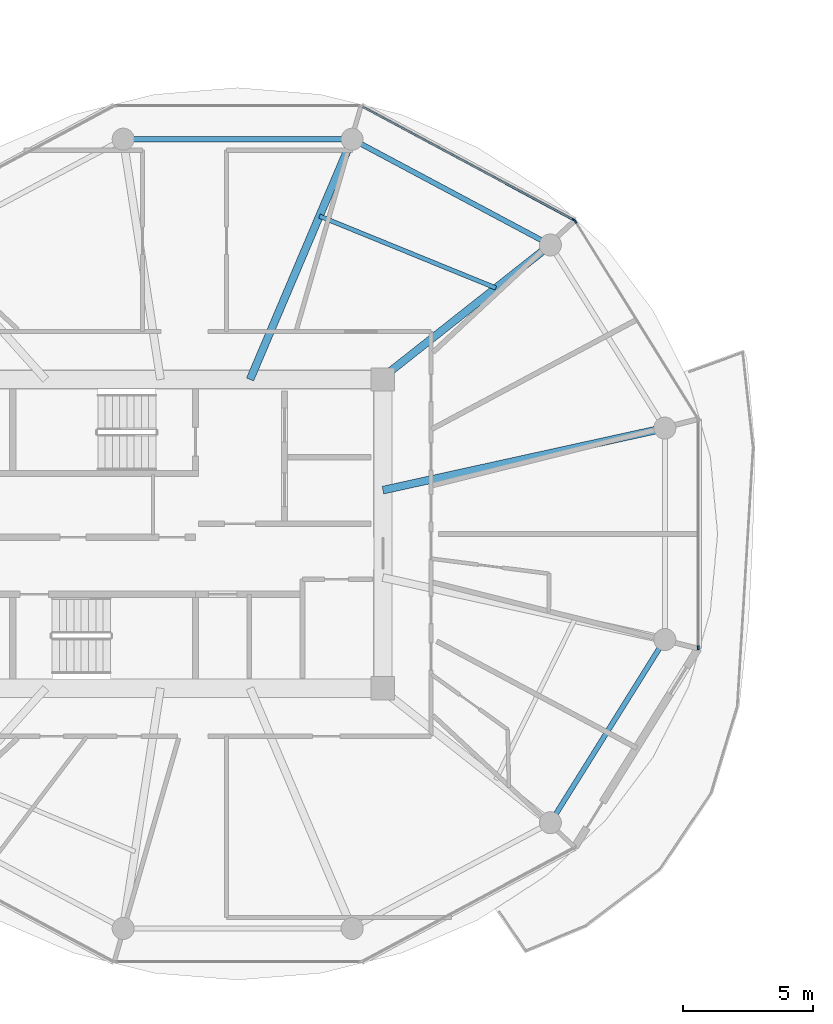
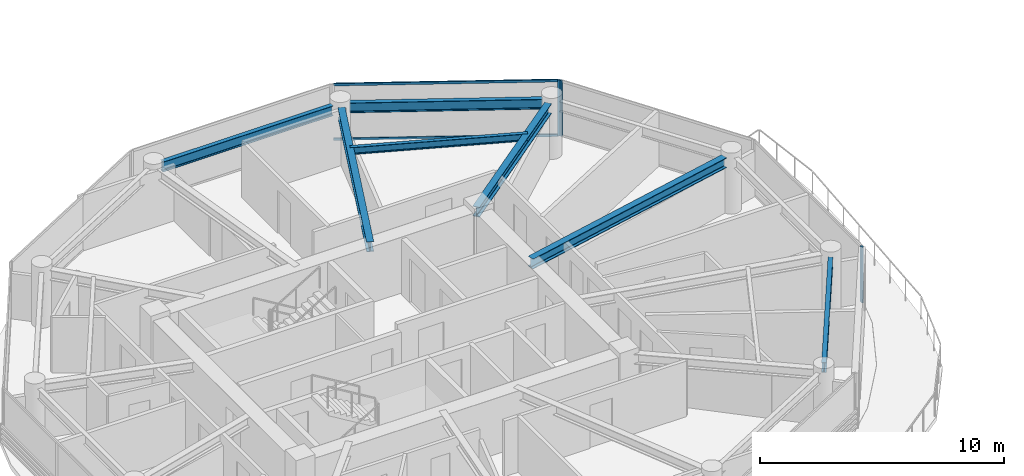
# One storey, part 5 of 22: 7 beams, 5 members, 3 elements without a shape of their own.
"""IFC4 building model written with IfcOpenShell, lengths in metres."""

from ifc_helpers import new_model, si_unit, direction, frame, origin, origin_2d, place, context, subcontext, project, spatial, rectangle, i_section, extrude, source, transform, mapped, material, layer, layer_set, material_profile, profile_set, type_object, type_shapes, element, aggregate, save


model = new_model("IFC4")

# Units and contexts
model_context = context("Model", 3, precision=1e-05, world=origin(), true_north=direction((0.0, 1.0)))
body_context = subcontext(model_context, "Body", "Model", "MODEL_VIEW")
ifc_project = project(units=[si_unit("LENGTHUNIT", "METRE"), si_unit("AREAUNIT", "SQUARE_METRE"), si_unit("VOLUMEUNIT", "CUBIC_METRE"), si_unit("PLANEANGLEUNIT", "RADIAN"), si_unit("MASSUNIT", "GRAM", prefix="KILO")], contexts=[model_context])

# Site, building, storey
site_placement = place(None, origin())
site = spatial("IfcSite", under=ifc_project, at=site_placement, CompositionType="ELEMENT")
building_placement = place(site_placement, origin())
building = spatial("IfcBuilding", under=site, at=building_placement, Name="Norrkilde Senior Care Towers", CompositionType="ELEMENT")
storey_placement = place(building_placement, frame((0.0, 0.0, 120.64990234375)))
storey = spatial("IfcBuildingStorey", under=building, at=storey_placement, Name="L37", CompositionType="ELEMENT", Elevation=120.64990234375)

# Beams
ifc_material_1 = material(Name="Steel S355", Category="steel")
ifc_material_profile_1 = material_profile(ifc_material_1, i_section(OverallWidth=0.199951171875, OverallDepth=0.5, WebThickness=0.01025390625, FlangeThickness=0.01611328125, FilletRadius=0.02099609375, at=origin_2d()), Name="IPE 500")
ifc_profile_set_1 = profile_set([ifc_material_profile_1], Name="Steel S355")
beam_type_1 = type_object("IfcBeamType", Name="Perimeter Ring Spandrel Z2 IPE500", PredefinedType="SPANDREL", material=ifc_profile_set_1)
shared_shape_1 = source(origin(), body_context, "Body", "SweptSolid", [
    extrude(i_section(OverallWidth=0.199951171875, OverallDepth=0.5, WebThickness=0.01025390625, FlangeThickness=0.01611328125, FilletRadius=0.02099609375, at=origin_2d()), origin(), (0.0, 0.0, 1.0), 7.55615234375),
])
beam_1_placement = place(storey_placement, frame((-13.689697265625, -10.810546875, 2.5400390625), z_axis=(0.529981514254, 0.848009194849, 0.0), x_axis=(-0.848009194849, 0.529981514254, 0.0)))
element("IfcBeam", 1, at=beam_1_placement, inside=storey, type_object=beam_type_1, Name="L37 Drum W Perimeter Spandrel 11", PredefinedType="SPANDREL", context=body_context, shape_type="MappedRepresentation", body=[
    mapped(shared_shape_1, transform((0.0, 0.0, 0.0), x_axis=(1.0, 0.0, 0.0), y_axis=(0.0, 1.0, 0.0), z_axis=(0.0, 0.0, 1.0), scale=1.0)),
])
ifc_material_profile_2 = material_profile(ifc_material_1, i_section(OverallWidth=0.300048828125, OverallDepth=0.5, WebThickness=0.014404296875, FlangeThickness=0.028076171875, FilletRadius=0.027099609375, at=origin_2d()), Name="HEB 500")
ifc_profile_set_2 = profile_set([ifc_material_profile_2], Name="Steel S355")
beam_type_2 = type_object("IfcBeamType", Name="Radial Floor Beam Z2 HEB500", PredefinedType="BEAM", material=ifc_profile_set_2)
shared_shape_2 = source(origin(), body_context, "Body", "SweptSolid", [
    extrude(i_section(OverallWidth=0.300048828125, OverallDepth=0.5, WebThickness=0.014404296875, FlangeThickness=0.028076171875, FilletRadius=0.027099609375, at=origin_2d()), origin(), (0.0, 0.0, 1.0), 10.744384765625),
])
beam_2_placement = place(storey_placement, frame((-20.35009765625, 1.683837890625, 2.5400390625), z_axis=(0.976618711422, 0.214978818724, 0.0), x_axis=(-0.214978818724, 0.976618711422, 0.0)))
element("IfcBeam", 2, at=beam_2_placement, inside=storey, type_object=beam_type_2, Name="L37 Drum W Radial Floor Beam 01", PredefinedType="BEAM", context=body_context, shape_type="MappedRepresentation", body=[
    mapped(shared_shape_2, transform((0.0, 0.0, 0.0), x_axis=(1.0, 0.0, 0.0), y_axis=(0.0, 1.0, 0.0), z_axis=(0.0, 0.0, 1.0), scale=1.0)),
])
shared_shape_3 = source(origin(), body_context, "Body", "SweptSolid", [
    extrude(i_section(OverallWidth=0.199951171875, OverallDepth=0.5, WebThickness=0.01025390625, FlangeThickness=0.01611328125, FilletRadius=0.02099609375, at=origin_2d()), origin(), (0.0, 0.0, 1.0), 7.892333984375),
])
beam_3_placement = place(storey_placement, frame((-14.233642578125, 11.318115234375, 2.5400390625), z_axis=(-0.882350372282, 0.47059305194, 0.0), x_axis=(-0.47059305194, -0.882350372282, 0.0)))
element("IfcBeam", 3, at=beam_3_placement, inside=storey, type_object=beam_type_1, Name="L37 Drum W Perimeter Spandrel 02", PredefinedType="SPANDREL", context=body_context, shape_type="MappedRepresentation", body=[
    mapped(shared_shape_3, transform((0.0, 0.0, 0.0), x_axis=(1.0, 0.0, 0.0), y_axis=(0.0, 1.0, 0.0), z_axis=(0.0, 0.0, 1.0), scale=1.0)),
])
shared_shape_4 = source(origin(), body_context, "Body", "SweptSolid", [
    extrude(i_section(OverallWidth=0.300048828125, OverallDepth=0.5, WebThickness=0.014404296875, FlangeThickness=0.028076171875, FilletRadius=0.027099609375, at=origin_2d()), origin(), (0.0, 0.0, 1.0), 7.985595703125),
])
beam_4_placement = place(storey_placement, frame((-20.463623046875, 5.949951171875, 2.5400390625), z_axis=(0.784858505144, 0.619675017169, 0.0), x_axis=(-0.619675017169, 0.784858505144, 0.0)))
element("IfcBeam", 4, at=beam_4_placement, inside=storey, type_object=beam_type_2, Name="L37 Drum W Radial Floor Beam 02", PredefinedType="BEAM", context=body_context, shape_type="MappedRepresentation", body=[
    mapped(shared_shape_4, transform((0.0, 0.0, 0.0), x_axis=(1.0, 0.0, 0.0), y_axis=(0.0, 1.0, 0.0), z_axis=(0.0, 0.0, 1.0), scale=1.0)),
])
shared_shape_5 = source(origin(), body_context, "Body", "SweptSolid", [
    extrude(i_section(OverallWidth=0.199951171875, OverallDepth=0.5, WebThickness=0.01025390625, FlangeThickness=0.01611328125, FilletRadius=0.02099609375, at=origin_2d()), origin(), (0.0, 0.0, 1.0), 8.0556640625),
])
type_shapes(beam_type_1, [shared_shape_1, shared_shape_3, shared_shape_5])
beam_5_placement = place(storey_placement, frame((-21.922119140625, 15.21337890625, 2.5400390625), z_axis=(-1.0, 0.0, 0.0), x_axis=(0.0, -1.0, 0.0)))
element("IfcBeam", 5, at=beam_5_placement, inside=storey, type_object=beam_type_1, Name="L37 Drum W Perimeter Spandrel 03", PredefinedType="SPANDREL", context=body_context, shape_type="MappedRepresentation", body=[
    mapped(shared_shape_5, transform((0.0, 0.0, 0.0), x_axis=(1.0, 0.0, 0.0), y_axis=(0.0, 1.0, 0.0), z_axis=(0.0, 0.0, 1.0), scale=1.0)),
])
shared_shape_6 = source(origin(), body_context, "Body", "SweptSolid", [
    extrude(i_section(OverallWidth=0.300048828125, OverallDepth=0.5, WebThickness=0.014404296875, FlangeThickness=0.028076171875, FilletRadius=0.027099609375, at=origin_2d()), origin(), (0.0, 0.0, 1.0), 9.679443359375),
])
type_shapes(beam_type_2, [shared_shape_2, shared_shape_4, shared_shape_6])
beam_6_placement = place(storey_placement, frame((-25.472412109375, 5.949951171875, 2.5400390625), z_axis=(0.390998033479, 0.920391513333, 0.0), x_axis=(-0.920391513333, 0.390998033479, 0.0)))
element("IfcBeam", 6, at=beam_6_placement, inside=storey, type_object=beam_type_2, Name="L37 Drum W Radial Floor Beam 03", PredefinedType="BEAM", context=body_context, shape_type="MappedRepresentation", body=[
    mapped(shared_shape_6, transform((0.0, 0.0, 0.0), x_axis=(1.0, 0.0, 0.0), y_axis=(0.0, 1.0, 0.0), z_axis=(0.0, 0.0, 1.0), scale=1.0)),
])
ifc_material_profile_3 = material_profile(ifc_material_1, i_section(OverallWidth=0.169921875, OverallDepth=0.360107421875, WebThickness=0.008056640625, FlangeThickness=0.0126953125, FilletRadius=0.01806640625, at=origin_2d()), Name="IPE 360")
ifc_profile_set_3 = profile_set([ifc_material_profile_3], Name="Steel S355")
beam_type_3 = type_object("IfcBeamType", Name="Secondary Floor Joist IPE360", PredefinedType="JOIST", material=ifc_profile_set_3)
shared_shape_7 = source(origin(), body_context, "Body", "SweptSolid", [
    extrude(i_section(OverallWidth=0.169921875, OverallDepth=0.360107421875, WebThickness=0.008056640625, FlangeThickness=0.0126953125, FilletRadius=0.01806640625, at=origin_2d()), origin(), (0.0, 0.0, 1.0), 7.343505859375),
])
type_shapes(beam_type_3, [shared_shape_7])
beam_7_placement = place(storey_placement, frame((-15.99609375, 9.47705078125, 2.610107421875), z_axis=(-0.926021784767, 0.377470070519, 0.0), x_axis=(-0.377470070519, -0.926021784767, 0.0)))
element("IfcBeam", 7, at=beam_7_placement, inside=storey, type_object=beam_type_3, Name="L37 Drum W Secondary Floor Joist 1", PredefinedType="JOIST", context=body_context, shape_type="MappedRepresentation", body=[
    mapped(shared_shape_7, transform((0.0, 0.0, 0.0), x_axis=(1.0, 0.0, 0.0), y_axis=(0.0, 1.0, 0.0), z_axis=(0.0, 0.0, 1.0), scale=1.0)),
])

# Curtain wall, member
ifc_material_2 = material(Name="Triple Low-E Insulated Glazing", Category="glass")
ifc_layer = layer(ifc_material_2, 0.195068359375)
ifc_layer_set = layer_set([ifc_layer], Name="Triple Low-E Insulated Glazing")
curtain_wall_type = type_object("IfcCurtainWallType", Name="CW3 Zone 2 Assisted Living Curtain Wall", PredefinedType="NOTDEFINED", material=ifc_layer_set)
curtain_wall_1_placement = place(storey_placement, origin())
curtain_wall_1 = element("IfcCurtainWall", 8, at=curtain_wall_1_placement, inside=storey, type_object=curtain_wall_type, Name="L37 Drum W Curtain Wall 00", PredefinedType="NOTDEFINED")
ifc_material_3 = material(Name="Anodised Aluminium", Category="aluminium")
ifc_material_profile_4 = material_profile(ifc_material_3, rectangle(XDim=0.06494140625, YDim=0.159912109375, at=origin_2d()), Name="ALU MULL 65x160")
ifc_profile_set_4 = profile_set([ifc_material_profile_4], Name="Anodised Aluminium")
member_type_1 = type_object("IfcMemberType", Name="Curtain Wall Mullion Z1-Z2 65x160", PredefinedType="MULLION", material=ifc_profile_set_4)
shared_shape_8 = source(origin(), body_context, "Body", "SweptSolid", [
    extrude(rectangle(XDim=0.06494140625, YDim=0.159912109375, at=origin_2d()), origin(), (0.0, 0.0, 1.0), 2.7900390625),
])
type_shapes(member_type_1, [shared_shape_8])
member_1_placement = place(storey_placement, frame((-12.936279296875, 12.0498046875, 0.0), z_axis=(0.0, 0.0, 1.0), x_axis=(0.849410171862, 0.527733228002, 0.0)))
member_1 = element("IfcMember", 9, at=member_1_placement, type_object=member_type_1, Name="CW-3 mullion 1", PredefinedType="MULLION", context=body_context, shape_type="MappedRepresentation", body=[
    mapped(shared_shape_8, transform((0.0, 0.0, 0.0), x_axis=(1.0, 0.0, 0.0), y_axis=(0.0, 1.0, 0.0), z_axis=(0.0, 0.0, 1.0), scale=1.0)),
])
aggregate(curtain_wall_1, [member_1])

curtain_wall_2_placement = place(storey_placement, origin())
curtain_wall_2 = element("IfcCurtainWall", 10, at=curtain_wall_2_placement, inside=storey, type_object=curtain_wall_type, Name="L37 Drum W Curtain Wall 01", PredefinedType="NOTDEFINED")
member_2_placement = place(storey_placement, frame((-12.98193359375, 12.0927734375, 0.0), z_axis=(0.0, 0.0, 1.0), x_axis=(0.472769402511, 0.881186184668, 0.0)))
member_2 = element("IfcMember", 11, at=member_2_placement, type_object=member_type_1, Name="CW-3 mullion 2", PredefinedType="MULLION", context=body_context, shape_type="MappedRepresentation", body=[
    mapped(shared_shape_8, transform((0.0, 0.0, 0.0), x_axis=(1.0, 0.0, 0.0), y_axis=(0.0, 1.0, 0.0), z_axis=(0.0, 0.0, 1.0), scale=1.0)),
])

curtain_wall_3_placement = place(storey_placement, origin())
curtain_wall_3 = element("IfcCurtainWall", 12, at=curtain_wall_3_placement, inside=storey, type_object=curtain_wall_type, Name="L37 Drum W Curtain Wall 11", PredefinedType="NOTDEFINED")
member_3_placement = place(storey_placement, frame((-8.1962890625, -4.38818359375, 0.0), z_axis=(0.0, 0.0, 1.0), x_axis=(1.0, 0.0, 0.0)))
member_3 = element("IfcMember", 13, at=member_3_placement, type_object=member_type_1, Name="CW-3 mullion 2", PredefinedType="MULLION", context=body_context, shape_type="MappedRepresentation", body=[
    mapped(shared_shape_8, transform((0.0, 0.0, 0.0), x_axis=(1.0, 0.0, 0.0), y_axis=(0.0, 1.0, 0.0), z_axis=(0.0, 0.0, 1.0), scale=1.0)),
])
aggregate(curtain_wall_3, [member_3])

# Member
ifc_material_profile_5 = material_profile(ifc_material_3, rectangle(XDim=0.06005859375, YDim=0.1201171875, at=origin_2d()), Name="ALU TRAN 60x120")
ifc_profile_set_5 = profile_set([ifc_material_profile_5], Name="Anodised Aluminium")
member_type_2 = type_object("IfcMemberType", Name="Curtain Wall Transom Typical 60x120", PredefinedType="USERDEFINED", material=ifc_profile_set_5)
shared_shape_9 = source(origin(), body_context, "Body", "SweptSolid", [
    extrude(rectangle(XDim=0.06005859375, YDim=0.1201171875, at=origin_2d()), origin(), (0.0, 0.0, 1.0), 9.220458984375),
])
type_shapes(member_type_2, [shared_shape_9])
member_4_placement = place(storey_placement, frame((-21.1357421875, 16.46728515625, 0.030029296875), z_axis=(0.881188517866, -0.472765053681, 0.0), x_axis=(0.472765053681, 0.881188517866, 0.0)))
member_4 = element("IfcMember", 14, at=member_4_placement, type_object=member_type_2, Name="CW-3 transom 1.1", ObjectType="TRANSOM", PredefinedType="USERDEFINED", context=body_context, shape_type="MappedRepresentation", body=[
    mapped(shared_shape_9, transform((0.0, 0.0, 0.0), x_axis=(1.0, 0.0, 0.0), y_axis=(0.0, 1.0, 0.0), z_axis=(0.0, 0.0, 1.0), scale=1.0)),
])

member_5_placement = place(storey_placement, frame((-21.1357421875, 16.46728515625, 2.760009765625), z_axis=(0.881188517866, -0.472765053681, 0.0), x_axis=(0.472765053681, 0.881188517866, 0.0)))
member_5 = element("IfcMember", 15, at=member_5_placement, type_object=member_type_2, Name="CW-3 transom 1.2", ObjectType="TRANSOM", PredefinedType="USERDEFINED", context=body_context, shape_type="MappedRepresentation", body=[
    mapped(shared_shape_9, transform((0.0, 0.0, 0.0), x_axis=(1.0, 0.0, 0.0), y_axis=(0.0, 1.0, 0.0), z_axis=(0.0, 0.0, 1.0), scale=1.0)),
])

aggregate(curtain_wall_2, [member_2, member_4, member_5])

save(model, "model.ifc")
